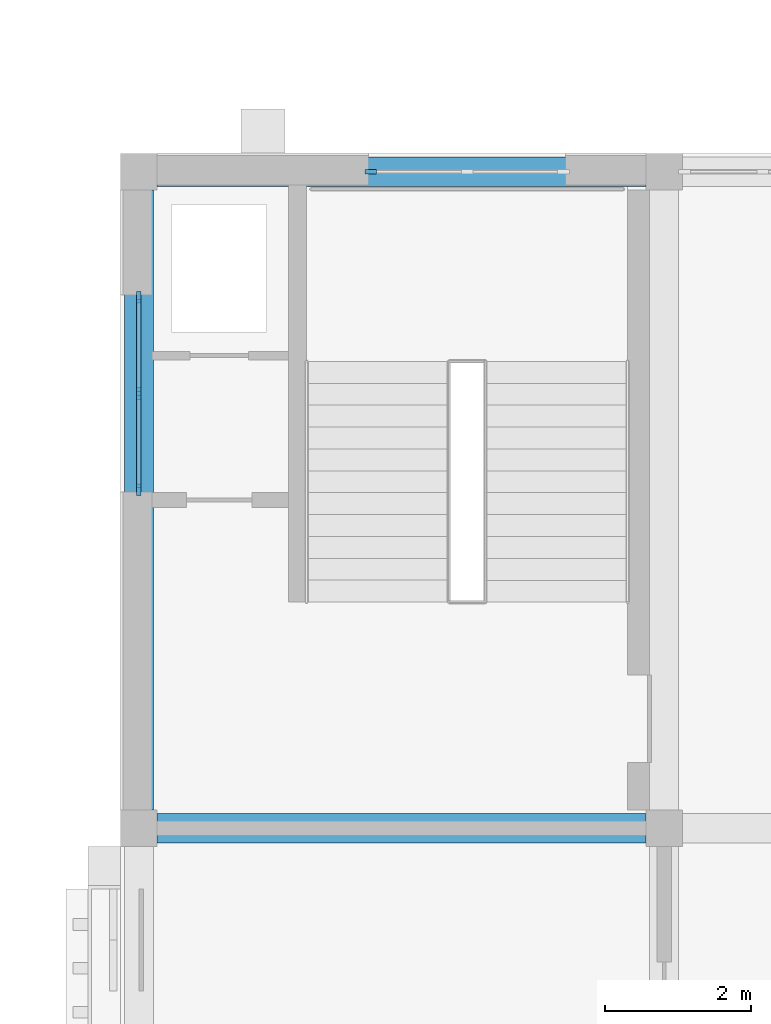
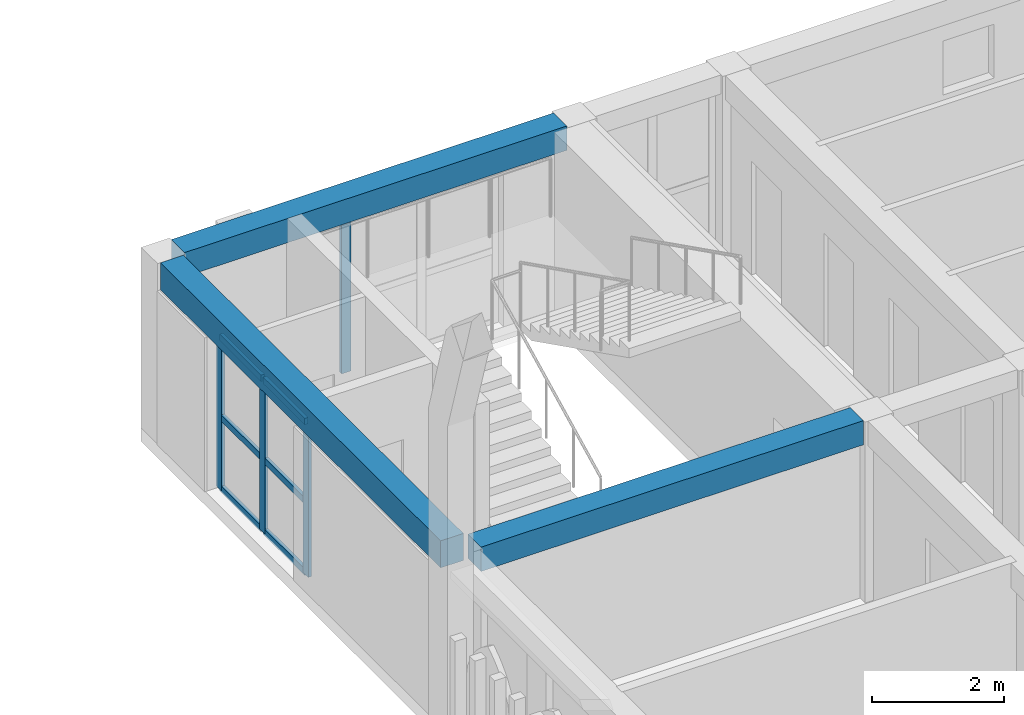
# One storey, part 24 of 82: 10 members, 3 beams, 2 elements without a shape of their own.
"""IFC4 building model written with IfcOpenShell, lengths in metres."""

from ifc_helpers import new_model, si_unit, direction, frame, origin, origin_2d, place, context, subcontext, project, spatial, rectangle, extrude, material, layer, layer_set, material_profile, profile_set, type_object, element, aggregate, save


model = new_model("IFC4")

# Units and contexts
model_context = context("Model", 3, precision=1e-05, world=origin(), true_north=direction((0.0, 1.0)))
body_context = subcontext(model_context, "Body", "Model", "MODEL_VIEW")
ifc_project = project(units=[si_unit("LENGTHUNIT", "METRE"), si_unit("AREAUNIT", "SQUARE_METRE"), si_unit("VOLUMEUNIT", "CUBIC_METRE"), si_unit("PLANEANGLEUNIT", "RADIAN"), si_unit("MASSUNIT", "GRAM", prefix="KILO")], contexts=[model_context])

# Site, building, storey
site_placement = place(None, origin())
site = spatial("IfcSite", under=ifc_project, at=site_placement, CompositionType="ELEMENT")
building_placement = place(site_placement, origin())
building = spatial("IfcBuilding", under=site, at=building_placement, Name="Elbe Cascade School", CompositionType="ELEMENT")
storey_placement = place(building_placement, frame((0.0, 0.0, 4.5)))
storey = spatial("IfcBuildingStorey", under=building, at=storey_placement, Name="L01", CompositionType="ELEMENT", Elevation=4.5)

# Curtain wall, members
ifc_material_1 = material(Name="Aluminium frame with double glazing, bronze anodised", Category="aluminium")
ifc_layer = layer(ifc_material_1, 0.159912109375)
ifc_layer_set = layer_set([ifc_layer], Name="Aluminium frame with double glazing, bronze anodised")
curtain_wall_type = type_object("IfcCurtainWallType", Name="Bars envelope Curtain wall, aluminium, bronze anodised, storey-high slot", PredefinedType="NOTDEFINED", material=ifc_layer_set)
curtain_wall_1_placement = place(storey_placement, origin())
curtain_wall_1 = element("IfcCurtainWall", 1, at=curtain_wall_1_placement, inside=storey, type_object=curtain_wall_type, Name="Curtain wall CW4 C.L01.w6", PredefinedType="NOTDEFINED")
ifc_material_2 = material(Name="Aluminium mullion, bronze anodised", Category="aluminium")
ifc_material_profile_1 = material_profile(ifc_material_2, rectangle(XDim=0.06005859375, YDim=0.159912109375, at=origin_2d()), Name="Bars envelope Curtain wall mullion 60 x 160, aluminium, storey-high slot")
ifc_profile_set_1 = profile_set([ifc_material_profile_1], Name="Aluminium mullion, bronze anodised")
member_type_1 = type_object("IfcMemberType", Name="Bars envelope Curtain wall mullion 60 x 160, aluminium, storey-high slot", PredefinedType="MULLION", material=ifc_profile_set_1)
member_1_placement = place(storey_placement, frame((128.199951171875, 55.639892578125, 0.0), z_axis=(0.0, 0.0, 1.0), x_axis=(-1.0, 0.0, 0.0)))
member_1 = element("IfcMember", 2, at=member_1_placement, type_object=member_type_1, Name="CW4 mullion 1", PredefinedType="MULLION", context=body_context, shape_type="SweptSolid", body=[
    extrude(rectangle(XDim=0.06005859375, YDim=0.159912109375, at=origin_2d()), origin(), (0.0, 0.0, 1.0), 2.85009765625),
])
member_2_placement = place(storey_placement, frame((128.199951171875, 56.9599609375, 0.0), z_axis=(0.0, 0.0, 1.0), x_axis=(-1.0, 0.0, 0.0)))
member_2 = element("IfcMember", 3, at=member_2_placement, type_object=member_type_1, Name="CW4 mullion 2", PredefinedType="MULLION", context=body_context, shape_type="SweptSolid", body=[
    extrude(rectangle(XDim=0.06005859375, YDim=0.159912109375, at=origin_2d()), origin(), (0.0, 0.0, 1.0), 2.85009765625),
])
member_3_placement = place(storey_placement, frame((128.199951171875, 58.280029296875, 0.0), z_axis=(0.0, 0.0, 1.0), x_axis=(-1.0, 0.0, 0.0)))
member_3 = element("IfcMember", 4, at=member_3_placement, type_object=member_type_1, Name="CW4 mullion 3", PredefinedType="MULLION", context=body_context, shape_type="SweptSolid", body=[
    extrude(rectangle(XDim=0.06005859375, YDim=0.159912109375, at=origin_2d()), origin(), (0.0, 0.0, 1.0), 2.85009765625),
])

# Curtain wall, member
curtain_wall_2_placement = place(storey_placement, origin())
curtain_wall_2 = element("IfcCurtainWall", 5, at=curtain_wall_2_placement, inside=storey, type_object=curtain_wall_type, Name="Curtain wall CW4 C.L01.n1", PredefinedType="NOTDEFINED")
member_4_placement = place(storey_placement, frame((131.3798828125, 60.0, 0.0), z_axis=(0.0, 0.0, 1.0), x_axis=(0.0, 1.0, 0.0)))
member_4 = element("IfcMember", 6, at=member_4_placement, type_object=member_type_1, Name="CW4 mullion 1", PredefinedType="MULLION", context=body_context, shape_type="SweptSolid", body=[
    extrude(rectangle(XDim=0.06005859375, YDim=0.159912109375, at=origin_2d()), origin(), (0.0, 0.0, 1.0), 2.89990234375),
])
aggregate(curtain_wall_2, [member_4])

# Member
ifc_material_3 = material(Name="Aluminium transom, bronze anodised", Category="aluminium")
ifc_material_profile_2 = material_profile(ifc_material_3, rectangle(XDim=0.06005859375, YDim=0.1201171875, at=origin_2d()), Name="Bars envelope Curtain wall transom 60 x 120, aluminium, storey-high slot")
ifc_profile_set_2 = profile_set([ifc_material_profile_2], Name="Aluminium transom, bronze anodised")
member_type_2 = type_object("IfcMemberType", Name="Bars envelope Curtain wall transom 60 x 120, aluminium, storey-high slot", PredefinedType="USERDEFINED", material=ifc_profile_set_2)
member_5_placement = place(storey_placement, frame((128.199951171875, 55.669921875, 0.030029296875), z_axis=(0.0, 1.0, 0.0), x_axis=(-1.0, 0.0, 0.0)))
member_5 = element("IfcMember", 7, at=member_5_placement, type_object=member_type_2, Name="CW4 transom 1.1", ObjectType="TRANSOM", PredefinedType="USERDEFINED", context=body_context, shape_type="SweptSolid", body=[
    extrude(rectangle(XDim=0.06005859375, YDim=0.1201171875, at=origin_2d()), origin(), (0.0, 0.0, 1.0), 1.260009765625),
])

member_6_placement = place(storey_placement, frame((128.199951171875, 55.669921875, 1.35009765625), z_axis=(0.0, 1.0, 0.0), x_axis=(-1.0, 0.0, 0.0)))
member_6 = element("IfcMember", 8, at=member_6_placement, type_object=member_type_2, Name="CW4 transom 1.2", ObjectType="TRANSOM", PredefinedType="USERDEFINED", context=body_context, shape_type="SweptSolid", body=[
    extrude(rectangle(XDim=0.06005859375, YDim=0.1201171875, at=origin_2d()), origin(), (0.0, 0.0, 1.0), 1.260009765625),
])

member_7_placement = place(storey_placement, frame((128.199951171875, 55.669921875, 2.820068359375), z_axis=(0.0, 1.0, 0.0), x_axis=(-1.0, 0.0, 0.0)))
member_7 = element("IfcMember", 9, at=member_7_placement, type_object=member_type_2, Name="CW4 transom 1.3", ObjectType="TRANSOM", PredefinedType="USERDEFINED", context=body_context, shape_type="SweptSolid", body=[
    extrude(rectangle(XDim=0.06005859375, YDim=0.1201171875, at=origin_2d()), origin(), (0.0, 0.0, 1.0), 1.260009765625),
])

member_8_placement = place(storey_placement, frame((128.199951171875, 56.989990234375, 0.030029296875), z_axis=(0.0, 1.0, 0.0), x_axis=(-1.0, 0.0, 0.0)))
member_8 = element("IfcMember", 10, at=member_8_placement, type_object=member_type_2, Name="CW4 transom 2.1", ObjectType="TRANSOM", PredefinedType="USERDEFINED", context=body_context, shape_type="SweptSolid", body=[
    extrude(rectangle(XDim=0.06005859375, YDim=0.1201171875, at=origin_2d()), origin(), (0.0, 0.0, 1.0), 1.260009765625),
])

member_9_placement = place(storey_placement, frame((128.199951171875, 56.989990234375, 1.35009765625), z_axis=(0.0, 1.0, 0.0), x_axis=(-1.0, 0.0, 0.0)))
member_9 = element("IfcMember", 11, at=member_9_placement, type_object=member_type_2, Name="CW4 transom 2.2", ObjectType="TRANSOM", PredefinedType="USERDEFINED", context=body_context, shape_type="SweptSolid", body=[
    extrude(rectangle(XDim=0.06005859375, YDim=0.1201171875, at=origin_2d()), origin(), (0.0, 0.0, 1.0), 1.260009765625),
])

member_10_placement = place(storey_placement, frame((128.199951171875, 56.989990234375, 2.820068359375), z_axis=(0.0, 1.0, 0.0), x_axis=(-1.0, 0.0, 0.0)))
member_10 = element("IfcMember", 12, at=member_10_placement, type_object=member_type_2, Name="CW4 transom 2.3", ObjectType="TRANSOM", PredefinedType="USERDEFINED", context=body_context, shape_type="SweptSolid", body=[
    extrude(rectangle(XDim=0.06005859375, YDim=0.1201171875, at=origin_2d()), origin(), (0.0, 0.0, 1.0), 1.260009765625),
])

aggregate(curtain_wall_1, [member_1, member_2, member_3, member_5, member_6, member_7, member_8, member_9, member_10])

# Beams
ifc_material_4 = material(Name="Concrete C30/37", Category="concrete")
ifc_material_profile_3 = material_profile(ifc_material_4, rectangle(XDim=0.39990234375, YDim=0.449951171875, at=origin_2d()), Name="RC 400x450")
ifc_profile_set_3 = profile_set([ifc_material_profile_3], Name="Concrete C30/37")
beam_type_1 = type_object("IfcBeamType", Name="RC 400x450 beam", PredefinedType="BEAM", material=ifc_profile_set_3)
for number, where, z_axis, x_axis, name in (
    (13, (128.449951171875, 51.0, 3.125), (1.0, 0.0, 0.0), (0.0, 1.0, 0.0), "RC 400x450 beam B2"),
    (14, (128.449951171875, 60.0, 3.125), (1.0, 0.0, 0.0), (0.0, 1.0, 0.0), "RC 400x450 beam B2"),
):
    element("IfcBeam", number, at=place(storey_placement, frame(where, z_axis=z_axis, x_axis=x_axis)), inside=storey, type_object=beam_type_1, Name=name, PredefinedType="BEAM", context=body_context, shape_type="SweptSolid", body=[
        extrude(rectangle(XDim=0.39990234375, YDim=0.449951171875, at=origin_2d()), origin(), (0.0, 0.0, 1.0), 6.699951171875),
    ])
ifc_material_5 = material(Name="Concrete C30/37", Category="concrete")
ifc_material_profile_4 = material_profile(ifc_material_5, rectangle(XDim=0.39990234375, YDim=0.5, at=origin_2d()), Name="RC 400x500")
ifc_profile_set_4 = profile_set([ifc_material_profile_4], Name="Concrete C30/37")
beam_type_2 = type_object("IfcBeamType", Name="RC 400x500 beam", PredefinedType="BEAM", material=ifc_profile_set_4)
beam_placement = place(storey_placement, frame((128.199951171875, 51.25, 3.10009765625), z_axis=(0.0, 1.0, 0.0), x_axis=(-1.0, 0.0, 0.0)))
element("IfcBeam", 15, at=beam_placement, inside=storey, type_object=beam_type_2, Name="RC 400x500 beam B1", PredefinedType="BEAM", context=body_context, shape_type="SweptSolid", body=[
    extrude(rectangle(XDim=0.39990234375, YDim=0.5, at=origin_2d()), origin(), (0.0, 0.0, 1.0), 8.5),
])

save(model, "model.ifc")
